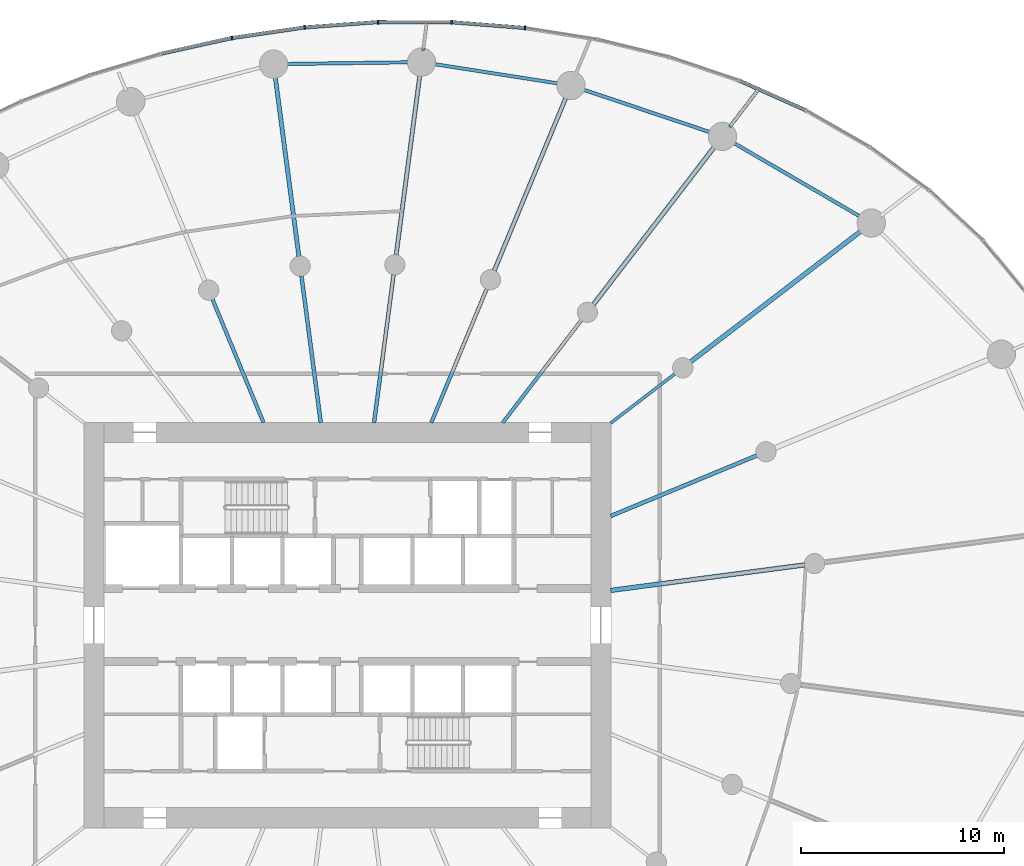
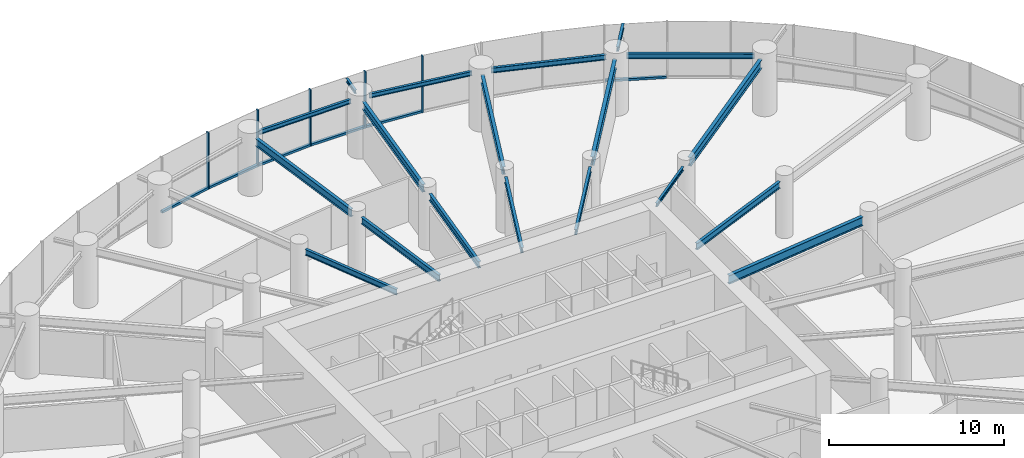
# One storey, part 7 of 19: 19 beams, 11 members, 2 elements without a shape of their own.
"""IFC4 building model written with IfcOpenShell, lengths in metres."""

import ifcopenshell
import ifcopenshell.guid

model = None  # the IFC model being written
_history = None  # IfcOwnerHistory: only IFC2X3 demands one
_inside = {}  # id of a spatial element -> (the spatial element, [elements in it])
_under = {}  # id of a project, library or spatial element -> (it, [spatial elements below it])
_declared = {}  # id of a project -> (the project, [libraries it declares])
_typed = {}  # id of a type object -> (the type object, [elements of that type])
_made_of = {}  # id of a material, layer set ... -> (it, [elements and type objects made of it])


def new_model(schema):
    """Start an empty IFC model of exactly this schema.

    Asked for "IFC4X3", IfcOpenShell would pick the latest addendum, in which some entities
    have other attributes; the version numbers below select the first issue.
    IFC2X3 requires an IfcOwnerHistory on every rooted entity: one is made here for all.
    """
    global model, _history
    if schema == "IFC4X3":
        model = ifcopenshell.file(schema_version=(4, 3, 0, 0))
    else:
        model = ifcopenshell.file(schema=schema)
    _inside.clear()
    _under.clear()
    _declared.clear()
    _typed.clear()
    _made_of.clear()
    _history = None
    if model.schema == "IFC2X3":
        org = make("IfcOrganization", Name="unknown")
        user = make(
            "IfcPersonAndOrganization",
            ThePerson=make("IfcPerson", FamilyName="unknown"),
            TheOrganization=org,
        )
        app = make(
            "IfcApplication",
            ApplicationDeveloper=org,
            Version="unknown",
            ApplicationFullName="unknown",
            ApplicationIdentifier="unknown",
        )
        _history = make(
            "IfcOwnerHistory",
            OwningUser=user,
            OwningApplication=app,
            ChangeAction="ADDED",
            CreationDate=0,
        )
    return model


def make(cls, **values):
    """One entity of the class cls with the attributes given. An attribute that is None is left unset."""
    return model.create_entity(
        cls, **{name: value for name, value in values.items() if value is not None}
    )


def rooted(cls, **values):
    """An entity with a GlobalId (a new one), such as an element, a storey or a relation."""
    return make(cls, GlobalId=ifcopenshell.guid.new(), OwnerHistory=_history, **values)


def si_unit(unit_type, name, prefix=None):
    """IfcSIUnit, for example si_unit("LENGTHUNIT", "METRE", prefix="MILLI")."""
    return make("IfcSIUnit", UnitType=unit_type, Prefix=prefix, Name=name)


def assignment(units):
    """IfcUnitAssignment: the units of a project."""
    return None if units is None else make("IfcUnitAssignment", Units=units)


def point(xyz):
    """IfcCartesianPoint."""
    return None if xyz is None else make("IfcCartesianPoint", Coordinates=xyz)


def direction(xyz):
    """IfcDirection."""
    return None if xyz is None else make("IfcDirection", DirectionRatios=xyz)


def frame(location, z_axis=None, x_axis=None):
    """IfcAxis2Placement3D, a coordinate frame: its origin and axes. An axis left out is left unset."""
    return make(
        "IfcAxis2Placement3D",
        Location=point(location),
        Axis=direction(z_axis),
        RefDirection=direction(x_axis),
    )


def frame_2d(location, x_axis=None):
    """IfcAxis2Placement2D, a coordinate frame in the plane: its origin and x axis."""
    return make(
        "IfcAxis2Placement2D", Location=point(location), RefDirection=direction(x_axis)
    )


def origin():
    """The frame at (0, 0, 0) with its axes left unset."""
    return frame((0.0, 0.0, 0.0))


def origin_2d():
    """The frame at (0, 0) in the plane with its x axis left unset."""
    return frame_2d((0.0, 0.0))


def place(relative_to, where):
    """IfcLocalPlacement: puts the frame where relative to a parent placement (None: the world)."""
    return make(
        "IfcLocalPlacement", PlacementRelTo=relative_to, RelativePlacement=where
    )


def context(
    kind, dimensions, precision=None, world=None, true_north=None, identifier=None
):
    """IfcGeometricRepresentationContext, for example the 3D "Model" context."""
    return make(
        "IfcGeometricRepresentationContext",
        ContextIdentifier=identifier,
        ContextType=kind,
        CoordinateSpaceDimension=dimensions,
        Precision=precision,
        WorldCoordinateSystem=world,
        TrueNorth=true_north,
    )


def subcontext(parent, identifier, kind, view, scale=None):
    """IfcGeometricRepresentationSubContext, for example "Body" below "Model"."""
    return make(
        "IfcGeometricRepresentationSubContext",
        ContextIdentifier=identifier,
        ContextType=kind,
        ParentContext=parent,
        TargetScale=scale,
        TargetView=view,
    )


def project(units=None, contexts=None):
    """IfcProject with its units and contexts."""
    return rooted(
        "IfcProject",
        Name="project",
        RepresentationContexts=contexts,
        UnitsInContext=assignment(units),
    )


def spatial(cls, under=None, at=None, **own):
    """A site, building, storey or space (cls), placed at a placement, below another one or the project."""
    s = rooted(cls, ObjectPlacement=at, **own)
    if under is not None:
        _under.setdefault(under.id(), (under, []))[1].append(s)
    return s


def profile(cls, at=None, kind="AREA", **sizes):
    """A parametric profile (cls). Its sizes go by their IFC names, for example OverallWidth=200.0."""
    return make(cls, ProfileType=kind, Position=at, **sizes)


def rectangle(**sizes):
    """IfcRectangleProfileDef."""
    return profile("IfcRectangleProfileDef", **sizes)


def i_section(**sizes):
    """IfcIShapeProfileDef."""
    return profile("IfcIShapeProfileDef", **sizes)


def extrude(swept, where, along, depth):
    """IfcExtrudedAreaSolid: the profile swept, set in the frame where, extruded along a direction by depth."""
    return make(
        "IfcExtrudedAreaSolid",
        SweptArea=swept,
        Position=where,
        ExtrudedDirection=direction(along),
        Depth=depth,
    )


def shape(context_of_items, identifier, shape_type, items):
    """IfcShapeRepresentation: the items that make up one representation, for example the "Body"."""
    return make(
        "IfcShapeRepresentation",
        ContextOfItems=context_of_items,
        RepresentationIdentifier=identifier,
        RepresentationType=shape_type,
        Items=items,
    )


def source(mapping_origin, context_of_items, identifier, shape_type, items):
    """IfcRepresentationMap: a shape defined once, which mapped items show again and again."""
    return make(
        "IfcRepresentationMap",
        MappingOrigin=mapping_origin,
        MappedRepresentation=shape(context_of_items, identifier, shape_type, items),
    )


def transform(
    local_origin,
    x_axis=None,
    y_axis=None,
    z_axis=None,
    scale=None,
    scale2=None,
    scale3=None,
    uniform=True,
):
    """IfcCartesianTransformationOperator3D, or its non-uniform kind. x_axis, y_axis, z_axis: its Axis1, 2, 3."""
    if uniform:
        return make(
            "IfcCartesianTransformationOperator3D",
            Axis1=direction(x_axis),
            Axis2=direction(y_axis),
            LocalOrigin=point(local_origin),
            Scale=scale,
            Axis3=direction(z_axis),
        )
    return make(
        "IfcCartesianTransformationOperator3DnonUniform",
        Axis1=direction(x_axis),
        Axis2=direction(y_axis),
        LocalOrigin=point(local_origin),
        Scale=scale,
        Axis3=direction(z_axis),
        Scale2=scale2,
        Scale3=scale3,
    )


def mapped(mapping_source, mapping_target):
    """IfcMappedItem: shows the shape of a source again, moved by a transform."""
    return make(
        "IfcMappedItem", MappingSource=mapping_source, MappingTarget=mapping_target
    )


def material(Name=None, Category=None):
    """IfcMaterial."""
    return make("IfcMaterial", Name=Name, Category=Category)


def layer(
    of_material, thickness, ventilated=None, Name=None, Category=None, Priority=None
):
    """IfcMaterialLayer: one layer of a wall or slab, of a material (None: an air gap)."""
    return make(
        "IfcMaterialLayer",
        Material=of_material,
        LayerThickness=thickness,
        IsVentilated=ventilated,
        Name=Name,
        Category=Category,
        Priority=Priority,
    )


def layer_set(layers, Name=None):
    """IfcMaterialLayerSet."""
    return make("IfcMaterialLayerSet", MaterialLayers=layers, LayerSetName=Name)


def material_profile(
    of_material, cross_section, Name=None, Category=None, Priority=None
):
    """IfcMaterialProfile: a cross section and its material."""
    return make(
        "IfcMaterialProfile",
        Name=Name,
        Material=of_material,
        Profile=cross_section,
        Priority=Priority,
        Category=Category,
    )


def profile_set(profiles, Name=None, composite=None):
    """IfcMaterialProfileSet."""
    return make(
        "IfcMaterialProfileSet",
        Name=Name,
        MaterialProfiles=profiles,
        CompositeProfile=composite,
    )


def made_of(thing, what):
    """Note that an element or type object is made of a material, layer set ...; save() writes the relation."""
    if what is not None:
        _made_of.setdefault(what.id(), (what, []))[1].append(thing)
    return thing


def type_object(cls, material=None, **own):
    """A type object (cls), such as IfcWallType, which elements share."""
    return made_of(rooted(cls, **own), material)


def element(
    cls,
    number,
    at=None,
    inside=None,
    cuts=None,
    type_object=None,
    material=None,
    context=None,
    identifier="Body",
    shape_type=None,
    held_by="IfcProductDefinitionShape",
    body=None,
    shapes=None,
    **own,
):
    """One element of the class cls, such as IfcWall. Its Tag is "e" and its number.

    at: its placement. inside: the storey or other place that contains it. cuts: it is an
    opening in that element (IfcRelVoidsElement). A single representation is given by context,
    identifier, shape_type and body (its items); several are given by shapes. held_by: the class
    of the entity that holds the representations. save() writes the other relations.
    """
    e = rooted(cls, Tag="e%d" % number, ObjectPlacement=at, **own)
    if body is not None:
        shapes = [shape(context, identifier, shape_type, body)]
    if shapes is not None:
        e.Representation = make(held_by, Representations=shapes)
    if inside is not None:
        _inside.setdefault(inside.id(), (inside, []))[1].append(e)
    if cuts is not None:
        rooted(
            "IfcRelVoidsElement", RelatingBuildingElement=cuts, RelatedOpeningElement=e
        )
    if type_object is not None:
        _typed.setdefault(type_object.id(), (type_object, []))[1].append(e)
    return made_of(e, material)


def aggregate(whole, parts):
    """IfcRelAggregates: a whole, such as a stair, and the parts it consists of."""
    return rooted("IfcRelAggregates", RelatingObject=whole, RelatedObjects=parts)


def save(model, path):
    """Write the relations noted so far, then the file.

    IfcRelAggregates (storeys below a building ...), IfcRelContainedInSpatialStructure (elements
    in a storey), IfcRelDefinesByType, IfcRelAssociatesMaterial and IfcRelDeclares: one each for
    every whole, place, type object, material and project.
    """
    for whole, parts in _under.values():
        aggregate(whole, parts)
    for where, things in _inside.values():
        rooted(
            "IfcRelContainedInSpatialStructure",
            RelatedElements=things,
            RelatingStructure=where,
        )
    for kind, things in _typed.values():
        rooted("IfcRelDefinesByType", RelatedObjects=things, RelatingType=kind)
    for what, things in _made_of.values():
        rooted("IfcRelAssociatesMaterial", RelatedObjects=things, RelatingMaterial=what)
    for by, libraries in _declared.values():
        rooted("IfcRelDeclares", RelatingContext=by, RelatedDefinitions=libraries)
    model.write(path)


model = new_model("IFC4")

# Units and contexts
model_context = context("Model", 3, precision=1e-05, world=origin(), true_north=direction((0.0, 1.0)))
body_context = subcontext(model_context, "Body", "Model", "MODEL_VIEW")
ifc_project = project(units=[si_unit("LENGTHUNIT", "METRE"), si_unit("AREAUNIT", "SQUARE_METRE"), si_unit("VOLUMEUNIT", "CUBIC_METRE"), si_unit("PLANEANGLEUNIT", "RADIAN"), si_unit("MASSUNIT", "GRAM", prefix="KILO")], contexts=[model_context])

# Site, building, storey
site_placement = place(None, origin())
site = spatial("IfcSite", under=ifc_project, at=site_placement, CompositionType="ELEMENT")
building_placement = place(site_placement, origin())
building = spatial("IfcBuilding", under=site, at=building_placement, Name="Spindrift Exchange Tower", CompositionType="ELEMENT")
storey_placement = place(building_placement, frame((0.0, 0.0, 53.39990234375)))
storey = spatial("IfcBuildingStorey", under=building, at=storey_placement, Name="L12", CompositionType="ELEMENT", Elevation=53.39990234375)

# Beams
ifc_material_1 = material(Name="Steel Grade 300", Category="steel")
ifc_material_profile_1 = material_profile(ifc_material_1, i_section(OverallWidth=0.22802734375, OverallDepth=0.60693359375, WebThickness=0.01123046875, FlangeThickness=0.017333984375, FilletRadius=0.013916015625, at=origin_2d()), Name="610UB113")
ifc_profile_set_1 = profile_set([ifc_material_profile_1], Name="Steel Grade 300")
beam_type_1 = type_object("IfcBeamType", Name="Floor Beam 610UB113 Steel Grade 300", PredefinedType="BEAM", material=ifc_profile_set_1)
shared_shape_1 = source(origin(), body_context, "Body", "SweptSolid", [
    extrude(i_section(OverallWidth=0.22802734375, OverallDepth=0.60693359375, WebThickness=0.01123046875, FlangeThickness=0.017333984375, FilletRadius=0.013916015625, at=origin_2d()), origin(), (0.0, 0.0, 1.0), 9.660400390625),
])
beam_1_placement = place(storey_placement, frame((64.980224609375, 49.708984375, 3.646484375), z_axis=(0.99144767089, 0.130504850054, 0.0), x_axis=(-0.130504850054, 0.99144767089, 0.0)))
element("IfcBeam", 1, at=beam_1_placement, inside=storey, type_object=beam_type_1, Name="L12 radial beam R01A", PredefinedType="BEAM", context=body_context, shape_type="MappedRepresentation", body=[
    mapped(shared_shape_1, transform((0.0, 0.0, 0.0), scale=1.0)),
])
ifc_material_profile_2 = material_profile(ifc_material_1, i_section(OverallWidth=0.18994140625, OverallDepth=0.45703125, WebThickness=0.009033203125, FlangeThickness=0.014404296875, FilletRadius=0.013916015625, at=origin_2d()), Name="460UB74.6")
ifc_profile_set_2 = profile_set([ifc_material_profile_2], Name="Steel Grade 300")
beam_type_2 = type_object("IfcBeamType", Name="Floor Beam 460UB74.6 Steel Grade 300", PredefinedType="BEAM", material=ifc_profile_set_2)
shared_shape_2 = source(origin(), body_context, "Body", "SweptSolid", [
    extrude(i_section(OverallWidth=0.18994140625, OverallDepth=0.45703125, WebThickness=0.009033203125, FlangeThickness=0.014404296875, FilletRadius=0.013916015625, at=origin_2d()), origin(), (0.0, 0.0, 1.0), 7.808837890625),
])
beam_2_placement = place(storey_placement, frame((64.9814453125, 53.377197265625, 3.7216796875), z_axis=(0.92387965154, 0.382683145003, 0.0), x_axis=(-0.382683145003, 0.92387965154, 0.0)))
element("IfcBeam", 2, at=beam_2_placement, inside=storey, type_object=beam_type_2, Name="L12 radial beam R02A", PredefinedType="BEAM", context=body_context, shape_type="MappedRepresentation", body=[
    mapped(shared_shape_2, transform((0.0, 0.0, 0.0), scale=1.0)),
])
ifc_material_profile_3 = material_profile(ifc_material_1, i_section(OverallWidth=0.14599609375, OverallDepth=0.251953125, WebThickness=0.006103515625, FlangeThickness=0.008544921875, FilletRadius=0.011962890625, at=origin_2d()), Name="250UB31.4")
ifc_profile_set_3 = profile_set([ifc_material_profile_3], Name="Steel Grade 300")
beam_type_3 = type_object("IfcBeamType", Name="Floor Beam 250UB31.4 Steel Grade 300", PredefinedType="BEAM", material=ifc_profile_set_3)
shared_shape_3 = source(origin(), body_context, "Body", "SweptSolid", [
    extrude(i_section(OverallWidth=0.14599609375, OverallDepth=0.251953125, WebThickness=0.006103515625, FlangeThickness=0.008544921875, FilletRadius=0.011962890625, at=origin_2d()), origin(), (0.0, 0.0, 1.0), 3.99560546875),
])
beam_3_placement = place(storey_placement, frame((64.984130859375, 57.963134765625, 3.82421875), z_axis=(0.793352561574, 0.608762443851, 0.0), x_axis=(-0.608762443851, 0.793352561574, 0.0)))
element("IfcBeam", 3, at=beam_3_placement, inside=storey, type_object=beam_type_3, Name="L12 radial beam R03A", PredefinedType="BEAM", context=body_context, shape_type="MappedRepresentation", body=[
    mapped(shared_shape_3, transform((0.0, 0.0, 0.0), scale=1.0)),
])
shared_shape_4 = source(origin(), body_context, "Body", "SweptSolid", [
    extrude(i_section(OverallWidth=0.22802734375, OverallDepth=0.60693359375, WebThickness=0.01123046875, FlangeThickness=0.017333984375, FilletRadius=0.013916015625, at=origin_2d()), origin(), (0.0, 0.0, 1.0), 10.66357421875),
])
beam_4_placement = place(storey_placement, frame((68.91552734375, 60.979736328125, 3.646484375), z_axis=(0.793357926757, 0.608755451764, 0.0), x_axis=(-0.608755451764, 0.793357926757, 0.0)))
element("IfcBeam", 4, at=beam_4_placement, inside=storey, type_object=beam_type_1, Name="L12 radial beam R03B", PredefinedType="BEAM", context=body_context, shape_type="MappedRepresentation", body=[
    mapped(shared_shape_4, transform((0.0, 0.0, 0.0), scale=1.0)),
])
ifc_material_profile_4 = material_profile(ifc_material_1, i_section(OverallWidth=0.172119140625, OverallDepth=0.35888671875, WebThickness=0.008056640625, FlangeThickness=0.012939453125, FilletRadius=0.013916015625, at=origin_2d()), Name="360UB56.7")
ifc_profile_set_4 = profile_set([ifc_material_profile_4], Name="Steel Grade 300")
beam_type_4 = type_object("IfcBeamType", Name="Floor Beam 360UB56.7 Steel Grade 300", PredefinedType="BEAM", material=ifc_profile_set_4)
shared_shape_5 = source(origin(), body_context, "Body", "SweptSolid", [
    extrude(i_section(OverallWidth=0.172119140625, OverallDepth=0.35888671875, WebThickness=0.008056640625, FlangeThickness=0.012939453125, FilletRadius=0.013916015625, at=origin_2d()), origin(), (0.0, 0.0, 1.0), 6.37646484375),
])
beam_5_placement = place(storey_placement, frame((59.6611328125, 57.984130859375, 3.7705078125), z_axis=(0.608766669952, 0.793349318747, 0.0), x_axis=(-0.793349318747, 0.608766669952, 0.0)))
element("IfcBeam", 5, at=beam_5_placement, inside=storey, type_object=beam_type_4, Name="L12 radial beam R04A", PredefinedType="BEAM", context=body_context, shape_type="MappedRepresentation", body=[
    mapped(shared_shape_5, transform((0.0, 0.0, 0.0), scale=1.0)),
])
shared_shape_6 = source(origin(), body_context, "Body", "SweptSolid", [
    extrude(i_section(OverallWidth=0.22802734375, OverallDepth=0.60693359375, WebThickness=0.01123046875, FlangeThickness=0.017333984375, FilletRadius=0.013916015625, at=origin_2d()), origin(), (0.0, 0.0, 1.0), 9.87548828125),
])
beam_6_placement = place(storey_placement, frame((64.127197265625, 63.8046875, 3.646484375), z_axis=(0.608772470836, 0.793344867477, 0.0), x_axis=(-0.793344867477, 0.608772470836, 0.0)))
element("IfcBeam", 6, at=beam_6_placement, inside=storey, type_object=beam_type_1, Name="L12 radial beam R04B", PredefinedType="BEAM", context=body_context, shape_type="MappedRepresentation", body=[
    mapped(shared_shape_6, transform((0.0, 0.0, 0.0), scale=1.0)),
])
ifc_material_profile_5 = material_profile(ifc_material_1, i_section(OverallWidth=0.177978515625, OverallDepth=0.406005859375, WebThickness=0.0078125, FlangeThickness=0.0126953125, FilletRadius=0.013916015625, at=origin_2d()), Name="410UB59.7")
ifc_profile_set_5 = profile_set([ifc_material_profile_5], Name="Steel Grade 300")
beam_type_5 = type_object("IfcBeamType", Name="Floor Beam 410UB59.7 Steel Grade 300", PredefinedType="BEAM", material=ifc_profile_set_5)
shared_shape_7 = source(origin(), body_context, "Body", "SweptSolid", [
    extrude(i_section(OverallWidth=0.177978515625, OverallDepth=0.406005859375, WebThickness=0.0078125, FlangeThickness=0.0126953125, FilletRadius=0.013916015625, at=origin_2d()), origin(), (0.0, 0.0, 1.0), 7.150634765625),
])
beam_7_placement = place(storey_placement, frame((56.134521484375, 57.9814453125, 3.7470703125), z_axis=(0.382665393358, 0.923887004306, 0.0), x_axis=(-0.923887004306, 0.382665393358, 0.0)))
element("IfcBeam", 7, at=beam_7_placement, inside=storey, type_object=beam_type_5, Name="L12 radial beam R05A", PredefinedType="BEAM", context=body_context, shape_type="MappedRepresentation", body=[
    mapped(shared_shape_7, transform((0.0, 0.0, 0.0), scale=1.0)),
])
ifc_material_profile_6 = material_profile(ifc_material_1, i_section(OverallWidth=0.208984375, OverallDepth=0.532958984375, WebThickness=0.01025390625, FlangeThickness=0.015625, FilletRadius=0.013916015625, at=origin_2d()), Name="530UB92.4")
ifc_profile_set_6 = profile_set([ifc_material_profile_6], Name="Steel Grade 300")
beam_type_6 = type_object("IfcBeamType", Name="Floor Beam 530UB92.4 Steel Grade 300", PredefinedType="BEAM", material=ifc_profile_set_6)
shared_shape_8 = source(origin(), body_context, "Body", "SweptSolid", [
    extrude(i_section(OverallWidth=0.208984375, OverallDepth=0.532958984375, WebThickness=0.01025390625, FlangeThickness=0.015625, FilletRadius=0.013916015625, at=origin_2d()), origin(), (0.0, 0.0, 1.0), 9.309326171875),
])
beam_8_placement = place(storey_placement, frame((59.23828125, 65.474853515625, 3.68359375), z_axis=(0.382685326691, 0.923878747853, 0.0), x_axis=(-0.923878747853, 0.382685326691, 0.0)))
element("IfcBeam", 8, at=beam_8_placement, inside=storey, type_object=beam_type_6, Name="L12 radial beam R05B", PredefinedType="BEAM", context=body_context, shape_type="MappedRepresentation", body=[
    mapped(shared_shape_8, transform((0.0, 0.0, 0.0), scale=1.0)),
])
shared_shape_9 = source(origin(), body_context, "Body", "SweptSolid", [
    extrude(i_section(OverallWidth=0.18994140625, OverallDepth=0.45703125, WebThickness=0.009033203125, FlangeThickness=0.014404296875, FilletRadius=0.013916015625, at=origin_2d()), origin(), (0.0, 0.0, 1.0), 7.374267578125),
])
beam_9_placement = place(storey_placement, frame((53.31396484375, 57.980224609375, 3.7216796875), z_axis=(0.130539295622, 0.99144313619, 0.0), x_axis=(-0.99144313619, 0.130539295622, 0.0)))
element("IfcBeam", 9, at=beam_9_placement, inside=storey, type_object=beam_type_2, Name="L12 radial beam R06A", PredefinedType="BEAM", context=body_context, shape_type="MappedRepresentation", body=[
    mapped(shared_shape_9, transform((0.0, 0.0, 0.0), scale=1.0)),
])
shared_shape_10 = source(origin(), body_context, "Body", "SweptSolid", [
    extrude(i_section(OverallWidth=0.208984375, OverallDepth=0.532958984375, WebThickness=0.01025390625, FlangeThickness=0.015625, FilletRadius=0.013916015625, at=origin_2d()), origin(), (0.0, 0.0, 1.0), 9.020263671875),
])
beam_10_placement = place(storey_placement, frame((54.40185546875, 66.2431640625, 3.68359375), z_axis=(0.13051122338, 0.991446831944, 0.0), x_axis=(-0.991446831944, 0.13051122338, 0.0)))
element("IfcBeam", 10, at=beam_10_placement, inside=storey, type_object=beam_type_6, Name="L12 radial beam R06B", PredefinedType="BEAM", context=body_context, shape_type="MappedRepresentation", body=[
    mapped(shared_shape_10, transform((0.0, 0.0, 0.0), scale=1.0)),
])
shared_shape_11 = source(origin(), body_context, "Body", "SweptSolid", [
    extrude(i_section(OverallWidth=0.18994140625, OverallDepth=0.45703125, WebThickness=0.009033203125, FlangeThickness=0.014404296875, FilletRadius=0.013916015625, at=origin_2d()), origin(), (0.0, 0.0, 1.0), 7.3095703125),
])
beam_11_placement = place(storey_placement, frame((50.68603515625, 57.980224609375, 3.7216796875), z_axis=(-0.130527087244, 0.991444743541, 0.0), x_axis=(-0.991444743541, -0.130527087244, 0.0)))
element("IfcBeam", 11, at=beam_11_placement, inside=storey, type_object=beam_type_2, Name="L12 radial beam R07A", PredefinedType="BEAM", context=body_context, shape_type="MappedRepresentation", body=[
    mapped(shared_shape_11, transform((0.0, 0.0, 0.0), scale=1.0)),
])
shared_shape_12 = source(origin(), body_context, "Body", "SweptSolid", [
    extrude(i_section(OverallWidth=0.208984375, OverallDepth=0.532958984375, WebThickness=0.01025390625, FlangeThickness=0.015625, FilletRadius=0.013916015625, at=origin_2d()), origin(), (0.0, 0.0, 1.0), 8.98388671875),
])
beam_12_placement = place(storey_placement, frame((49.606689453125, 66.17919921875, 3.68359375), z_axis=(-0.130524106785, 0.991445135924, 0.0), x_axis=(-0.991445135924, -0.130524106785, 0.0)))
element("IfcBeam", 12, at=beam_12_placement, inside=storey, type_object=beam_type_6, Name="L12 radial beam R07B", PredefinedType="BEAM", context=body_context, shape_type="MappedRepresentation", body=[
    mapped(shared_shape_12, transform((0.0, 0.0, 0.0), scale=1.0)),
])
shared_shape_13 = source(origin(), body_context, "Body", "SweptSolid", [
    extrude(i_section(OverallWidth=0.177978515625, OverallDepth=0.406005859375, WebThickness=0.0078125, FlangeThickness=0.0126953125, FilletRadius=0.013916015625, at=origin_2d()), origin(), (0.0, 0.0, 1.0), 6.594482421875),
])
beam_13_placement = place(storey_placement, frame((47.865478515625, 57.9814453125, 3.7470703125), z_axis=(-0.382692929746, 0.92387559851, 0.0), x_axis=(-0.92387559851, -0.382692929746, 0.0)))
element("IfcBeam", 13, at=beam_13_placement, inside=storey, type_object=beam_type_5, Name="L12 radial beam R08A", PredefinedType="BEAM", context=body_context, shape_type="MappedRepresentation", body=[
    mapped(shared_shape_13, transform((0.0, 0.0, 0.0), scale=1.0)),
])
ifc_material_profile_7 = material_profile(ifc_material_1, i_section(OverallWidth=0.172119140625, OverallDepth=0.35888671875, WebThickness=0.008056640625, FlangeThickness=0.012939453125, FilletRadius=0.013916015625, at=origin_2d()), Name="360UB56.7")
ifc_profile_set_7 = profile_set([ifc_material_profile_7], Name="Steel Grade 300")
beam_type_7 = type_object("IfcBeamType", Name="Edge Beam 360UB56.7 Steel Grade 300", PredefinedType="SPANDREL", material=ifc_profile_set_7)
shared_shape_14 = source(origin(), body_context, "Body", "SweptSolid", [
    extrude(i_section(OverallWidth=0.172119140625, OverallDepth=0.35888671875, WebThickness=0.008056640625, FlangeThickness=0.012939453125, FilletRadius=0.013916015625, at=origin_2d()), origin(), (0.0, 0.0, 1.0), 7.33740234375),
])
beam_14_placement = place(storey_placement, frame((77.33447265625, 68.1162109375, 3.7705078125), z_axis=(-0.864211826308, 0.503128134047, 0.0), x_axis=(-0.503128134047, -0.864211826308, 0.0)))
element("IfcBeam", 14, at=beam_14_placement, inside=storey, type_object=beam_type_7, Name="L12 edge beam E03", PredefinedType="SPANDREL", context=body_context, shape_type="MappedRepresentation", body=[
    mapped(shared_shape_14, transform((0.0, 0.0, 0.0), scale=1.0)),
])
shared_shape_15 = source(origin(), body_context, "Body", "SweptSolid", [
    extrude(i_section(OverallWidth=0.172119140625, OverallDepth=0.35888671875, WebThickness=0.008056640625, FlangeThickness=0.012939453125, FilletRadius=0.013916015625, at=origin_2d()), origin(), (0.0, 0.0, 1.0), 6.72021484375),
])
beam_15_placement = place(storey_placement, frame((69.9423828125, 72.28466796875, 3.7705078125), z_axis=(-0.947851749681, 0.318711563372, 0.0), x_axis=(-0.318711563372, -0.947851749681, 0.0)))
element("IfcBeam", 15, at=beam_15_placement, inside=storey, type_object=beam_type_7, Name="L12 edge beam E04", PredefinedType="SPANDREL", context=body_context, shape_type="MappedRepresentation", body=[
    mapped(shared_shape_15, transform((0.0, 0.0, 0.0), scale=1.0)),
])
ifc_material_profile_8 = material_profile(ifc_material_1, i_section(OverallWidth=0.1650390625, OverallDepth=0.303955078125, WebThickness=0.006103515625, FlangeThickness=0.01025390625, FilletRadius=0.011474609375, at=origin_2d()), Name="310UB40.4")
ifc_profile_set_8 = profile_set([ifc_material_profile_8], Name="Steel Grade 300")
beam_type_8 = type_object("IfcBeamType", Name="Edge Beam 310UB40.4 Steel Grade 300", PredefinedType="SPANDREL", material=ifc_profile_set_8)
shared_shape_16 = source(origin(), body_context, "Body", "SweptSolid", [
    extrude(i_section(OverallWidth=0.1650390625, OverallDepth=0.303955078125, WebThickness=0.006103515625, FlangeThickness=0.01025390625, FilletRadius=0.011474609375, at=origin_2d()), origin(), (0.0, 0.0, 1.0), 6.297119140625),
])
beam_16_placement = place(storey_placement, frame((62.44970703125, 74.70068359375, 3.798095703125), z_axis=(-0.98802902915, 0.154268070436, 0.0), x_axis=(-0.154268070436, -0.98802902915, 0.0)))
element("IfcBeam", 16, at=beam_16_placement, inside=storey, type_object=beam_type_8, Name="L12 edge beam E05", PredefinedType="SPANDREL", context=body_context, shape_type="MappedRepresentation", body=[
    mapped(shared_shape_16, transform((0.0, 0.0, 0.0), scale=1.0)),
])
shared_shape_17 = source(origin(), body_context, "Body", "SweptSolid", [
    extrude(i_section(OverallWidth=0.1650390625, OverallDepth=0.303955078125, WebThickness=0.006103515625, FlangeThickness=0.01025390625, FilletRadius=0.011474609375, at=origin_2d()), origin(), (0.0, 0.0, 1.0), 6.13720703125),
])
beam_17_placement = place(storey_placement, frame((55.074951171875, 75.75341796875, 3.798095703125), z_axis=(-0.999905820907, -0.013724041543, 0.0), x_axis=(0.013724041543, -0.999905820907, 0.0)))
element("IfcBeam", 17, at=beam_17_placement, inside=storey, type_object=beam_type_8, Name="L12 edge beam E06", PredefinedType="SPANDREL", context=body_context, shape_type="MappedRepresentation", body=[
    mapped(shared_shape_17, transform((0.0, 0.0, 0.0), scale=1.0)),
])
ifc_material_profile_9 = material_profile(ifc_material_1, i_section(OverallWidth=0.1650390625, OverallDepth=0.303955078125, WebThickness=0.006103515625, FlangeThickness=0.01025390625, FilletRadius=0.011474609375, at=origin_2d()), Name="310UB40.4")
ifc_profile_set_9 = profile_set([ifc_material_profile_9], Name="Steel Grade 300")
beam_type_9 = type_object("IfcBeamType", Name="Cantilever Beam 310UB40.4 Steel Grade 300", PredefinedType="BEAM", material=ifc_profile_set_9)
shared_shape_18 = source(origin(), body_context, "Body", "SweptSolid", [
    extrude(i_section(OverallWidth=0.1650390625, OverallDepth=0.303955078125, WebThickness=0.006103515625, FlangeThickness=0.01025390625, FilletRadius=0.011474609375, at=origin_2d()), origin(), (0.0, 0.0, 1.0), 2.437255859375),
])
beam_18_placement = place(storey_placement, frame((70.845458984375, 72.559814453125, 3.798095703125), z_axis=(0.608746943639, 0.793364455096, 0.0), x_axis=(-0.793364455096, 0.608746943639, 0.0)))
element("IfcBeam", 18, at=beam_18_placement, inside=storey, type_object=beam_type_9, Name="L12 cantilever beam R04T", PredefinedType="BEAM", context=body_context, shape_type="MappedRepresentation", body=[
    mapped(shared_shape_18, transform((0.0, 0.0, 0.0), scale=1.0)),
])
ifc_material_profile_10 = material_profile(ifc_material_1, i_section(OverallWidth=0.14599609375, OverallDepth=0.251953125, WebThickness=0.006103515625, FlangeThickness=0.008544921875, FilletRadius=0.011962890625, at=origin_2d()), Name="250UB31.4")
ifc_profile_set_10 = profile_set([ifc_material_profile_10], Name="Steel Grade 300")
beam_type_10 = type_object("IfcBeamType", Name="Cantilever Beam 250UB31.4 Steel Grade 300", PredefinedType="BEAM", material=ifc_profile_set_10)
shared_shape_19 = source(origin(), body_context, "Body", "SweptSolid", [
    extrude(i_section(OverallWidth=0.14599609375, OverallDepth=0.251953125, WebThickness=0.006103515625, FlangeThickness=0.008544921875, FilletRadius=0.011962890625, at=origin_2d()), origin(), (0.0, 0.0, 1.0), 1.325927734375),
])
beam_19_placement = place(storey_placement, frame((55.730712890625, 76.33642578125, 3.82421875), z_axis=(0.130354494902, 0.99146745063, 0.0), x_axis=(-0.99146745063, 0.130354494902, 0.0)))
element("IfcBeam", 19, at=beam_19_placement, inside=storey, type_object=beam_type_10, Name="L12 cantilever beam R06T", PredefinedType="BEAM", context=body_context, shape_type="MappedRepresentation", body=[
    mapped(shared_shape_19, transform((0.0, 0.0, 0.0), scale=1.0)),
])

# Curtain wall, members
ifc_material_2 = material(Name="Fritted laminated glass with bronze frame", Category="glass")
ifc_layer = layer(ifc_material_2, 0.199951171875)
ifc_layer_set = layer_set([ifc_layer], Name="ZONE 1 BRONZE FRITTED WALL")
curtain_wall_type = type_object("IfcCurtainWallType", Name="ZONE 1 BRONZE FRITTED WALL", PredefinedType="NOTDEFINED", material=ifc_layer_set)
curtain_wall_1_placement = place(storey_placement, origin())
curtain_wall_1 = element("IfcCurtainWall", 20, at=curtain_wall_1_placement, inside=storey, type_object=curtain_wall_type, Name="L12 Zone 1 Bronze Fritted Wall run 3", PredefinedType="NOTDEFINED")
ifc_material_3 = material(Name="Bronze anodised aluminium", Category="aluminium")
ifc_material_profile_11 = material_profile(ifc_material_3, rectangle(XDim=0.179931640625, YDim=0.14990234375, at=origin_2d()), Name="ZONE 1 BRONZE FRITTED WALL TRANSOM 180X150")
ifc_profile_set_11 = profile_set([ifc_material_profile_11], Name="Bronze anodised aluminium")
member_type_1 = type_object("IfcMemberType", Name="ZONE 1 BRONZE FRITTED WALL TRANSOM 180X150", PredefinedType="USERDEFINED", material=ifc_profile_set_11)
shared_shape_20 = source(origin(), body_context, "Body", "SweptSolid", [
    extrude(rectangle(XDim=0.179931640625, YDim=0.14990234375, at=origin_2d()), origin(), (0.0, 0.0, 1.0), 3.54736328125),
])
member_1_placement = place(storey_placement, frame((57.101318359375, 77.730712890625, 0.0751953125), z_axis=(-0.999998143249, 0.00192704391, 0.0), x_axis=(-0.00192704391, -0.999998143249, 0.0)))
member_1 = element("IfcMember", 21, at=member_1_placement, type_object=member_type_1, Name="L12 transom CW-1.13", ObjectType="TRANSOM", PredefinedType="USERDEFINED", context=body_context, shape_type="MappedRepresentation", body=[
    mapped(shared_shape_20, transform((0.0, 0.0, 0.0), scale=1.0)),
])
member_2_placement = place(storey_placement, frame((53.47412109375, 77.73486328125, 0.0751953125), z_axis=(-0.997395426555, -0.07212740871, 0.0), x_axis=(0.07212740871, -0.997395426555, 0.0)))
member_2 = element("IfcMember", 22, at=member_2_placement, type_object=member_type_1, Name="L12 transom CW-1.14", ObjectType="TRANSOM", PredefinedType="USERDEFINED", context=body_context, shape_type="MappedRepresentation", body=[
    mapped(shared_shape_20, transform((0.0, 0.0, 0.0), scale=1.0)),
])
member_3_placement = place(storey_placement, frame((49.8564453125, 77.470458984375, 0.0751953125), z_axis=(-0.989470441567, -0.1447350865, 0.0), x_axis=(0.1447350865, -0.989470441567, 0.0)))
member_3 = element("IfcMember", 23, at=member_3_placement, type_object=member_type_1, Name="L12 transom CW-1.15", ObjectType="TRANSOM", PredefinedType="USERDEFINED", context=body_context, shape_type="MappedRepresentation", body=[
    mapped(shared_shape_20, transform((0.0, 0.0, 0.0), scale=1.0)),
])
member_4_placement = place(storey_placement, frame((46.267822265625, 76.942626953125, 0.0751953125), z_axis=(-0.976309973153, -0.216376607613, 0.0), x_axis=(0.216376607613, -0.976309973153, 0.0)))
member_4 = element("IfcMember", 24, at=member_4_placement, type_object=member_type_1, Name="L12 transom CW-1.16", ObjectType="TRANSOM", PredefinedType="USERDEFINED", context=body_context, shape_type="MappedRepresentation", body=[
    mapped(shared_shape_20, transform((0.0, 0.0, 0.0), scale=1.0)),
])

curtain_wall_2_placement = place(storey_placement, origin())
curtain_wall_2 = element("IfcCurtainWall", 25, at=curtain_wall_2_placement, inside=storey, type_object=curtain_wall_type, Name="L12 Zone 1 Bronze Fritted Wall run 2", PredefinedType="NOTDEFINED")
shared_shape_21 = source(origin(), body_context, "Body", "SweptSolid", [
    extrude(rectangle(XDim=0.179931640625, YDim=0.14990234375, at=origin_2d()), origin(), (0.0, 0.0, 1.0), 3.547119140625),
])
member_5_placement = place(storey_placement, frame((60.7177734375, 77.45166015625, 0.0751953125), z_axis=(-0.996970903438, 0.077775431197, 0.0), x_axis=(-0.077775431197, -0.996970903438, 0.0)))
member_5 = element("IfcMember", 26, at=member_5_placement, type_object=member_type_1, Name="L12 transom CW-1.12", ObjectType="TRANSOM", PredefinedType="USERDEFINED", context=body_context, shape_type="MappedRepresentation", body=[
    mapped(shared_shape_21, transform((0.0, 0.0, 0.0), scale=1.0)),
])
shared_shape_22 = source(origin(), body_context, "Body", "SweptSolid", [
    extrude(rectangle(XDim=0.179931640625, YDim=0.14990234375, at=origin_2d()), origin(), (0.0, 0.0, 1.0), 3.546630859375),
])
member_6_placement = place(storey_placement, frame((74.575927734375, 73.40087890625, 0.0751953125), z_axis=(-0.913260012857, 0.407377158068, 0.0), x_axis=(-0.407377158068, -0.913260012857, 0.0)))
member_6 = element("IfcMember", 27, at=member_6_placement, type_object=member_type_1, Name="L12 transom CW-1.8", ObjectType="TRANSOM", PredefinedType="USERDEFINED", context=body_context, shape_type="MappedRepresentation", body=[
    mapped(shared_shape_22, transform((0.0, 0.0, 0.0), scale=1.0)),
])
ifc_material_profile_12 = material_profile(ifc_material_3, rectangle(XDim=0.080078125, YDim=0.199951171875, at=origin_2d()), Name="ZONE 1 BRONZE FRITTED WALL MULLION 80X200")
ifc_profile_set_12 = profile_set([ifc_material_profile_12], Name="Bronze anodised aluminium")
member_type_2 = type_object("IfcMemberType", Name="ZONE 1 BRONZE FRITTED WALL MULLION 80X200", PredefinedType="MULLION", material=ifc_profile_set_12)
shared_shape_23 = source(origin(), body_context, "Body", "SweptSolid", [
    extrude(rectangle(XDim=0.080078125, YDim=0.199951171875, at=origin_2d()), origin(), (0.0, 0.0, 1.0), 3.9501953125),
])
member_7_placement = place(storey_placement, frame((60.7578125, 77.448486328125, 0.0), z_axis=(0.0, 0.0, 1.0), x_axis=(-0.993138802476, 0.11694151964, 0.0)))
member_7 = element("IfcMember", 28, at=member_7_placement, type_object=member_type_2, Name="L12 mullion CW-1.12", PredefinedType="MULLION", context=body_context, shape_type="MappedRepresentation", body=[
    mapped(shared_shape_23, transform((0.0, 0.0, 0.0), scale=1.0)),
])
aggregate(curtain_wall_2, [member_6, member_7, member_5])

# Member
member_8_placement = place(storey_placement, frame((57.141357421875, 77.730712890625, 0.0), z_axis=(0.0, 0.0, 1.0), x_axis=(-0.999203951176, 0.039893156723, 0.0)))
member_8 = element("IfcMember", 29, at=member_8_placement, type_object=member_type_2, Name="L12 mullion CW-1.13", PredefinedType="MULLION", context=body_context, shape_type="MappedRepresentation", body=[
    mapped(shared_shape_23, transform((0.0, 0.0, 0.0), scale=1.0)),
])

member_9_placement = place(storey_placement, frame((53.513916015625, 77.73779296875, 0.0), z_axis=(0.0, 0.0, 1.0), x_axis=(-0.999383632365, -0.035104919327, 0.0)))
member_9 = element("IfcMember", 30, at=member_9_placement, type_object=member_type_2, Name="L12 mullion CW-1.14", PredefinedType="MULLION", context=body_context, shape_type="MappedRepresentation", body=[
    mapped(shared_shape_23, transform((0.0, 0.0, 0.0), scale=1.0)),
])

member_10_placement = place(storey_placement, frame((49.89599609375, 77.476318359375, 0.0), z_axis=(0.0, 0.0, 1.0), x_axis=(-0.994098393909, -0.108482179306, 0.0)))
member_10 = element("IfcMember", 31, at=member_10_placement, type_object=member_type_2, Name="L12 mullion CW-1.15", PredefinedType="MULLION", context=body_context, shape_type="MappedRepresentation", body=[
    mapped(shared_shape_23, transform((0.0, 0.0, 0.0), scale=1.0)),
])

member_11_placement = place(storey_placement, frame((46.306884765625, 76.951171875, 0.0), z_axis=(0.0, 0.0, 1.0), x_axis=(-0.983545056168, -0.180663008075, 0.0)))
member_11 = element("IfcMember", 32, at=member_11_placement, type_object=member_type_2, Name="L12 mullion CW-1.16", PredefinedType="MULLION", context=body_context, shape_type="MappedRepresentation", body=[
    mapped(shared_shape_23, transform((0.0, 0.0, 0.0), scale=1.0)),
])

aggregate(curtain_wall_1, [member_8, member_1, member_9, member_2, member_10, member_3, member_11, member_4])

save(model, "model.ifc")
